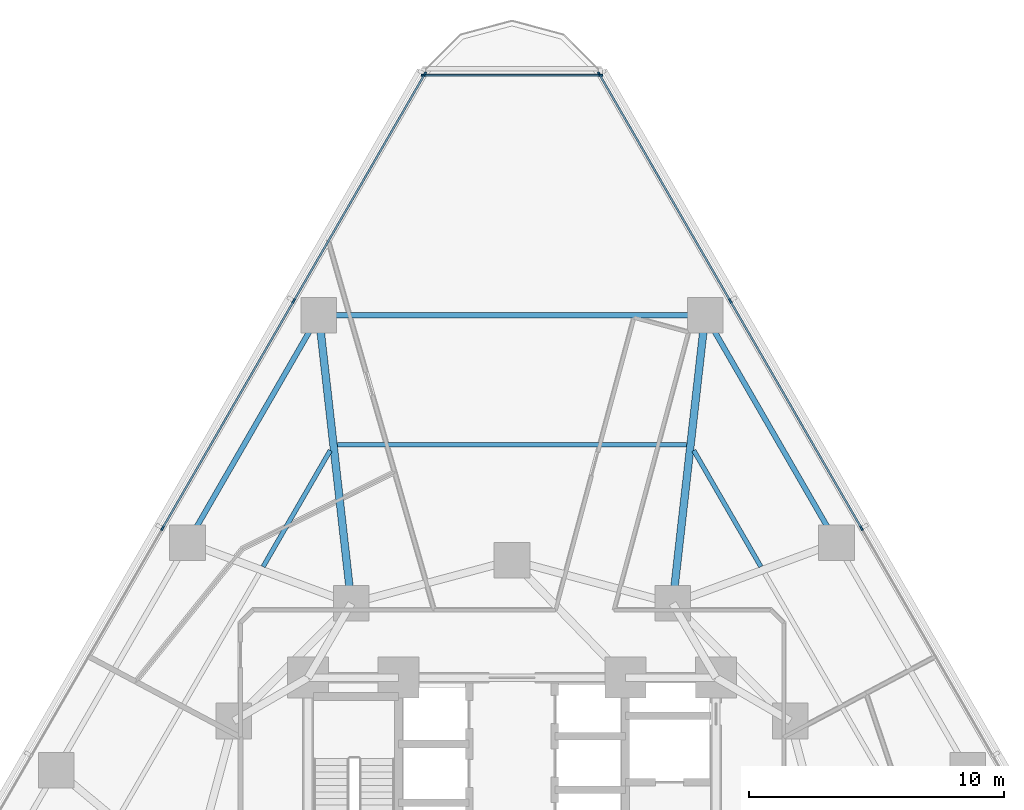
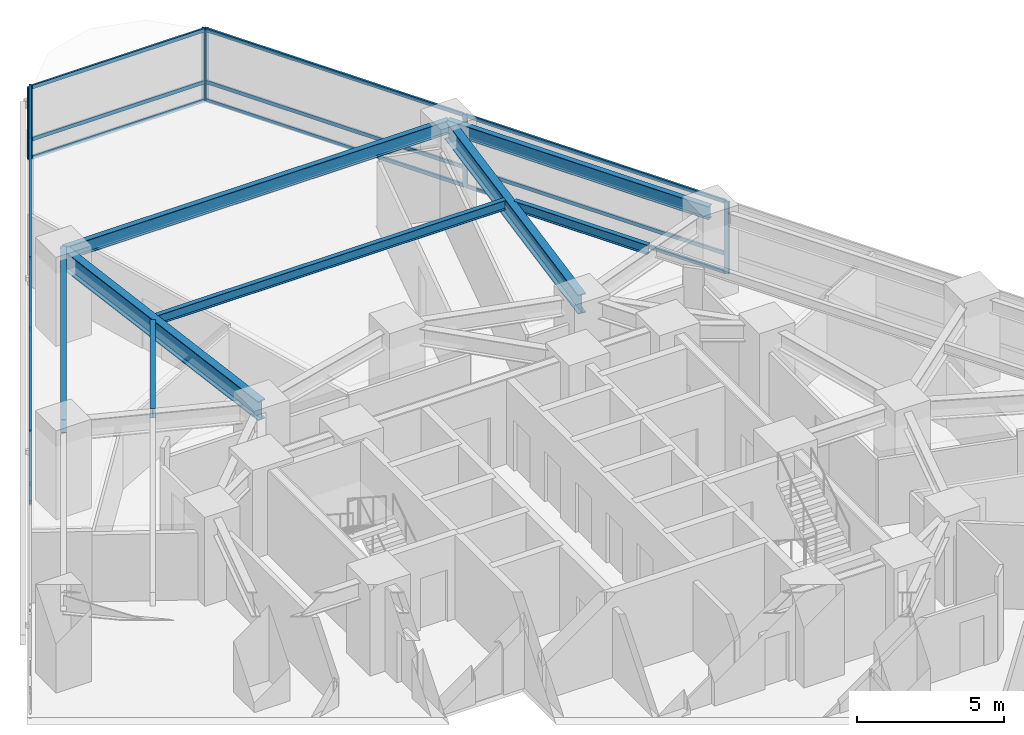
# One storey, part 6 of 16: 23 members, 8 beams, 3 elements without a shape of their own.
"""IFC4 building model written with IfcOpenShell, lengths in metres."""

from ifc_helpers import new_model, si_unit, direction, frame, origin, origin_2d, place, context, subcontext, project, spatial, rectangle, i_section, extrude, material, layer, layer_set, material_profile, profile_set, type_object, element, aggregate, save


model = new_model("IFC4")

# Units and contexts
model_context = context("Model", 3, precision=1e-05, world=origin(), true_north=direction((0.0, 1.0)))
body_context = subcontext(model_context, "Body", "Model", "MODEL_VIEW")
ifc_project = project(units=[si_unit("LENGTHUNIT", "METRE"), si_unit("AREAUNIT", "SQUARE_METRE"), si_unit("VOLUMEUNIT", "CUBIC_METRE"), si_unit("PLANEANGLEUNIT", "RADIAN"), si_unit("MASSUNIT", "GRAM", prefix="KILO")], contexts=[model_context])

# Site, building, storey
site_placement = place(None, origin())
site = spatial("IfcSite", under=ifc_project, at=site_placement, CompositionType="ELEMENT")
building_placement = place(site_placement, origin())
building = spatial("IfcBuilding", under=site, at=building_placement, Name="Terralouvre Media Tower", CompositionType="ELEMENT")
storey_placement = place(building_placement, frame((0.0, 0.0, 40.800048828125)))
storey = spatial("IfcBuildingStorey", under=building, at=storey_placement, Name="L09", CompositionType="ELEMENT", Elevation=40.800048828125)

# Beams
ifc_material_1 = material(Name="Structural steel S355J2", Category="steel")
ifc_material_profile_1 = material_profile(ifc_material_1, i_section(OverallWidth=0.179931640625, OverallDepth=0.39990234375, WebThickness=0.008544921875, FlangeThickness=0.013427734375, at=origin_2d()), Name="IPE 400")
ifc_profile_set_1 = profile_set([ifc_material_profile_1], Name="Structural steel S355J2")
beam_type_1 = type_object("IfcBeamType", Name="Composite Floor Joist J-IPE400 (IPE 400)", PredefinedType="JOIST", material=ifc_profile_set_1)
beam_1_placement = place(storey_placement, frame((9.758544921875, 12.351806640625, 3.300048828125), z_axis=(-0.499984733014, 0.866034218004, 0.0), x_axis=(-0.866034218004, -0.499984733014, 0.0)))
element("IfcBeam", 1, at=beam_1_placement, inside=storey, type_object=beam_type_1, Name="L09 Framing Beam JT-L09-08", PredefinedType="JOIST", context=body_context, shape_type="SweptSolid", body=[
    extrude(i_section(OverallWidth=0.179931640625, OverallDepth=0.39990234375, WebThickness=0.008544921875, FlangeThickness=0.013427734375, at=origin_2d()), origin(), (0.0, 0.0, 1.0), 5.264404296875),
])
beam_2_placement = place(storey_placement, frame((6.85107421875, 17.127685546875, 3.300048828125), z_axis=(-1.0, 0.0, 0.0), x_axis=(0.0, -1.0, 0.0)))
element("IfcBeam", 2, at=beam_2_placement, inside=storey, type_object=beam_type_1, Name="L09 Framing Beam JT-L09-09", PredefinedType="JOIST", context=body_context, shape_type="SweptSolid", body=[
    extrude(i_section(OverallWidth=0.179931640625, OverallDepth=0.39990234375, WebThickness=0.008544921875, FlangeThickness=0.013427734375, at=origin_2d()), origin(), (0.0, 0.0, 1.0), 13.7021484375),
])
beam_3_placement = place(storey_placement, frame((-7.12646484375, 16.910888671875, 3.300048828125), z_axis=(-0.499984733014, -0.866034218004, 0.0), x_axis=(0.866034218004, -0.499984733014, 0.0)))
element("IfcBeam", 3, at=beam_3_placement, inside=storey, type_object=beam_type_1, Name="L09 Framing Beam JT-L09-10", PredefinedType="JOIST", context=body_context, shape_type="SweptSolid", body=[
    extrude(i_section(OverallWidth=0.179931640625, OverallDepth=0.39990234375, WebThickness=0.008544921875, FlangeThickness=0.013427734375, at=origin_2d()), origin(), (0.0, 0.0, 1.0), 5.264404296875),
])

# Curtain wall, members
ifc_material_2 = material(Name="Low-iron laminated double glazing with solar-control coating", Category="glass")
ifc_layer_1 = layer(ifc_material_2, 0.1650390625, Name="Lower Media Tower Unitised Curtain Wall CW-02")
ifc_layer_set_1 = layer_set([ifc_layer_1], Name="Low-iron laminated double glazing with solar-control coating")
curtain_wall_type_1 = type_object("IfcCurtainWallType", Name="Lower Media Tower Unitised Curtain Wall CW-02", PredefinedType="NOTDEFINED", material=ifc_layer_set_1)
curtain_wall_1_placement = place(storey_placement, origin())
curtain_wall_1 = element("IfcCurtainWall", 4, at=curtain_wall_1_placement, inside=storey, type_object=curtain_wall_type_1, Name="L09 Facade Curtain Wall F1", PredefinedType="NOTDEFINED")
ifc_material_3 = material(Name="Anodised extruded aluminium 6063-T6", Category="aluminium")
ifc_material_profile_2 = material_profile(ifc_material_3, rectangle(XDim=0.074951171875, YDim=0.14990234375, at=origin_2d()), Name="ALU 75x150")
ifc_profile_set_2 = profile_set([ifc_material_profile_2], Name="Anodised extruded aluminium 6063-T6")
member_type_1 = type_object("IfcMemberType", Name="Curtain-Wall Horizontal Transom TR-150", PredefinedType="USERDEFINED", material=ifc_profile_set_2)
member_1_placement = place(storey_placement, frame((13.684814453125, 13.890869140625, 0.037353515625), z_axis=(-0.499998717582, 0.866026144187, 0.0), x_axis=(-0.866026144187, -0.499998717582, 0.0)))
member_1 = element("IfcMember", 5, at=member_1_placement, type_object=member_type_1, Name="CW-02 transom 4.1", ObjectType="TRANSOM", PredefinedType="USERDEFINED", context=body_context, shape_type="SweptSolid", body=[
    extrude(rectangle(XDim=0.074951171875, YDim=0.14990234375, at=origin_2d()), origin(), (0.0, 0.0, 1.0), 10.22509765625),
])
member_2_placement = place(storey_placement, frame((13.684814453125, 13.890869140625, 0.800048828125), z_axis=(-0.499998717582, 0.866026144187, 0.0), x_axis=(-0.866026144187, -0.499998717582, 0.0)))
member_2 = element("IfcMember", 6, at=member_2_placement, type_object=member_type_1, Name="CW-02 transom 4.2", ObjectType="TRANSOM", PredefinedType="USERDEFINED", context=body_context, shape_type="SweptSolid", body=[
    extrude(rectangle(XDim=0.074951171875, YDim=0.14990234375, at=origin_2d()), origin(), (0.0, 0.0, 1.0), 10.22509765625),
])
member_3_placement = place(storey_placement, frame((13.684814453125, 13.890869140625, 2.96240234375), z_axis=(-0.499998717582, 0.866026144187, 0.0), x_axis=(-0.866026144187, -0.499998717582, 0.0)))
member_3 = element("IfcMember", 7, at=member_3_placement, type_object=member_type_1, Name="CW-02 transom 4.3", ObjectType="TRANSOM", PredefinedType="USERDEFINED", context=body_context, shape_type="SweptSolid", body=[
    extrude(rectangle(XDim=0.074951171875, YDim=0.14990234375, at=origin_2d()), origin(), (0.0, 0.0, 1.0), 10.22509765625),
])
member_4_placement = place(storey_placement, frame((8.53466796875, 22.81103515625, 0.037353515625), z_axis=(-0.500005272087, 0.866022359922, 0.0), x_axis=(-0.866022359922, -0.500005272087, 0.0)))
member_4 = element("IfcMember", 8, at=member_4_placement, type_object=member_type_1, Name="CW-02 transom 5.1", ObjectType="TRANSOM", PredefinedType="USERDEFINED", context=body_context, shape_type="SweptSolid", body=[
    extrude(rectangle(XDim=0.074951171875, YDim=0.14990234375, at=origin_2d()), origin(), (0.0, 0.0, 1.0), 10.1875),
])
member_5_placement = place(storey_placement, frame((8.53466796875, 22.81103515625, 0.800048828125), z_axis=(-0.500005272087, 0.866022359922, 0.0), x_axis=(-0.866022359922, -0.500005272087, 0.0)))
member_5 = element("IfcMember", 9, at=member_5_placement, type_object=member_type_1, Name="CW-02 transom 5.2", ObjectType="TRANSOM", PredefinedType="USERDEFINED", context=body_context, shape_type="SweptSolid", body=[
    extrude(rectangle(XDim=0.074951171875, YDim=0.14990234375, at=origin_2d()), origin(), (0.0, 0.0, 1.0), 10.1875),
])
member_6_placement = place(storey_placement, frame((8.53466796875, 22.81103515625, 2.96240234375), z_axis=(-0.500005272087, 0.866022359922, 0.0), x_axis=(-0.866022359922, -0.500005272087, 0.0)))
member_6 = element("IfcMember", 10, at=member_6_placement, type_object=member_type_1, Name="CW-02 transom 5.3", ObjectType="TRANSOM", PredefinedType="USERDEFINED", context=body_context, shape_type="SweptSolid", body=[
    extrude(rectangle(XDim=0.074951171875, YDim=0.14990234375, at=origin_2d()), origin(), (0.0, 0.0, 1.0), 10.1875),
])

curtain_wall_2_placement = place(storey_placement, origin())
curtain_wall_2 = element("IfcCurtainWall", 11, at=curtain_wall_2_placement, inside=storey, type_object=curtain_wall_type_1, Name="L09 Facade Curtain Wall F2", PredefinedType="NOTDEFINED")
member_7_placement = place(storey_placement, frame((-3.44091796875, 31.633544921875, 0.037353515625), z_axis=(-0.500005272087, -0.866022359922, 0.0), x_axis=(0.866022359922, -0.500005272087, 0.0)))
member_7 = element("IfcMember", 12, at=member_7_placement, type_object=member_type_1, Name="CW-02 transom 1.1", ObjectType="TRANSOM", PredefinedType="USERDEFINED", context=body_context, shape_type="SweptSolid", body=[
    extrude(rectangle(XDim=0.074951171875, YDim=0.14990234375, at=origin_2d()), origin(), (0.0, 0.0, 1.0), 10.1875),
])
member_8_placement = place(storey_placement, frame((-3.44091796875, 31.633544921875, 0.800048828125), z_axis=(-0.500005272087, -0.866022359922, 0.0), x_axis=(0.866022359922, -0.500005272087, 0.0)))
member_8 = element("IfcMember", 13, at=member_8_placement, type_object=member_type_1, Name="CW-02 transom 1.2", ObjectType="TRANSOM", PredefinedType="USERDEFINED", context=body_context, shape_type="SweptSolid", body=[
    extrude(rectangle(XDim=0.074951171875, YDim=0.14990234375, at=origin_2d()), origin(), (0.0, 0.0, 1.0), 10.1875),
])
member_9_placement = place(storey_placement, frame((-3.44091796875, 31.633544921875, 2.96240234375), z_axis=(-0.500005272087, -0.866022359922, 0.0), x_axis=(0.866022359922, -0.500005272087, 0.0)))
member_9 = element("IfcMember", 14, at=member_9_placement, type_object=member_type_1, Name="CW-02 transom 1.3", ObjectType="TRANSOM", PredefinedType="USERDEFINED", context=body_context, shape_type="SweptSolid", body=[
    extrude(rectangle(XDim=0.074951171875, YDim=0.14990234375, at=origin_2d()), origin(), (0.0, 0.0, 1.0), 10.1875),
])
member_10_placement = place(storey_placement, frame((-8.572265625, 22.74609375, 0.037353515625), z_axis=(-0.499998717582, -0.866026144187, 0.0), x_axis=(0.866026144187, -0.499998717582, 0.0)))
member_10 = element("IfcMember", 15, at=member_10_placement, type_object=member_type_1, Name="CW-02 transom 2.1", ObjectType="TRANSOM", PredefinedType="USERDEFINED", context=body_context, shape_type="SweptSolid", body=[
    extrude(rectangle(XDim=0.074951171875, YDim=0.14990234375, at=origin_2d()), origin(), (0.0, 0.0, 1.0), 10.22509765625),
])
member_11_placement = place(storey_placement, frame((-8.572265625, 22.74609375, 0.800048828125), z_axis=(-0.499998717582, -0.866026144187, 0.0), x_axis=(0.866026144187, -0.499998717582, 0.0)))
member_11 = element("IfcMember", 16, at=member_11_placement, type_object=member_type_1, Name="CW-02 transom 2.2", ObjectType="TRANSOM", PredefinedType="USERDEFINED", context=body_context, shape_type="SweptSolid", body=[
    extrude(rectangle(XDim=0.074951171875, YDim=0.14990234375, at=origin_2d()), origin(), (0.0, 0.0, 1.0), 10.22509765625),
])
member_12_placement = place(storey_placement, frame((-8.572265625, 22.74609375, 2.96240234375), z_axis=(-0.499998717582, -0.866026144187, 0.0), x_axis=(0.866026144187, -0.499998717582, 0.0)))
member_12 = element("IfcMember", 17, at=member_12_placement, type_object=member_type_1, Name="CW-02 transom 2.3", ObjectType="TRANSOM", PredefinedType="USERDEFINED", context=body_context, shape_type="SweptSolid", body=[
    extrude(rectangle(XDim=0.074951171875, YDim=0.14990234375, at=origin_2d()), origin(), (0.0, 0.0, 1.0), 10.22509765625),
])

ifc_material_4 = material(Name="Low-iron laminated double glazing with solar-control coating", Category="glass")
ifc_layer_2 = layer(ifc_material_4, 0.1650390625, Name="Rounded Wind-Corner Curved Glazing CW-04")
ifc_layer_set_2 = layer_set([ifc_layer_2], Name="Low-iron laminated double glazing with solar-control coating")
curtain_wall_type_2 = type_object("IfcCurtainWallType", Name="Rounded Wind-Corner Curved Glazing CW-04", PredefinedType="NOTDEFINED", material=ifc_layer_set_2)
curtain_wall_3_placement = place(storey_placement, origin())
curtain_wall_3 = element("IfcCurtainWall", 18, at=curtain_wall_3_placement, inside=storey, type_object=curtain_wall_type_2, Name="L09 Rounded Wind-Corner Curtain Wall C2", PredefinedType="NOTDEFINED")
member_13_placement = place(storey_placement, frame((3.432373046875, 31.61865234375, 0.037353515625), z_axis=(-1.0, 0.0, 0.0), x_axis=(0.0, -1.0, 0.0)))
member_13 = element("IfcMember", 19, at=member_13_placement, type_object=member_type_1, Name="CW-04 transom 1.1", ObjectType="TRANSOM", PredefinedType="USERDEFINED", context=body_context, shape_type="SweptSolid", body=[
    extrude(rectangle(XDim=0.074951171875, YDim=0.14990234375, at=origin_2d()), origin(), (0.0, 0.0, 1.0), 6.86474609375),
])
member_14_placement = place(storey_placement, frame((3.432373046875, 31.61865234375, 0.800048828125), z_axis=(-1.0, 0.0, 0.0), x_axis=(0.0, -1.0, 0.0)))
member_14 = element("IfcMember", 20, at=member_14_placement, type_object=member_type_1, Name="CW-04 transom 1.2", ObjectType="TRANSOM", PredefinedType="USERDEFINED", context=body_context, shape_type="SweptSolid", body=[
    extrude(rectangle(XDim=0.074951171875, YDim=0.14990234375, at=origin_2d()), origin(), (0.0, 0.0, 1.0), 6.86474609375),
])
member_15_placement = place(storey_placement, frame((3.432373046875, 31.61865234375, 2.96240234375), z_axis=(-1.0, 0.0, 0.0), x_axis=(0.0, -1.0, 0.0)))
member_15 = element("IfcMember", 21, at=member_15_placement, type_object=member_type_1, Name="CW-04 transom 1.3", ObjectType="TRANSOM", PredefinedType="USERDEFINED", context=body_context, shape_type="SweptSolid", body=[
    extrude(rectangle(XDim=0.074951171875, YDim=0.14990234375, at=origin_2d()), origin(), (0.0, 0.0, 1.0), 6.86474609375),
])

# Member
ifc_material_5 = material(Name="Anodised extruded aluminium 6063-T6", Category="aluminium")
ifc_material_profile_3 = material_profile(ifc_material_5, rectangle(XDim=0.074951171875, YDim=0.179931640625, at=origin_2d()), Name="ALU 75x180")
ifc_profile_set_3 = profile_set([ifc_material_profile_3], Name="Anodised extruded aluminium 6063-T6")
member_type_2 = type_object("IfcMemberType", Name="Curtain-Wall Vertical Mullion ML-180", PredefinedType="MULLION", material=ifc_profile_set_3)
member_16_placement = place(storey_placement, frame((13.703369140625, 13.8583984375, 0.0), z_axis=(0.0, 0.0, 1.0), x_axis=(-0.866025412057, -0.499999985671, 0.0)))
member_16 = element("IfcMember", 22, at=member_16_placement, type_object=member_type_2, Name="CW-02 mullion 4", PredefinedType="MULLION", context=body_context, shape_type="SweptSolid", body=[
    extrude(rectangle(XDim=0.074951171875, YDim=0.179931640625, at=origin_2d()), origin(), (0.0, 0.0, 1.0), 3.0),
])

member_17_placement = place(storey_placement, frame((8.553466796875, 22.778564453125, 0.0), z_axis=(0.0, 0.0, 1.0), x_axis=(-0.866025412057, -0.499999985671, 0.0)))
member_17 = element("IfcMember", 23, at=member_17_placement, type_object=member_type_2, Name="CW-02 mullion 5", PredefinedType="MULLION", context=body_context, shape_type="SweptSolid", body=[
    extrude(rectangle(XDim=0.074951171875, YDim=0.179931640625, at=origin_2d()), origin(), (0.0, 0.0, 1.0), 3.0),
])

member_18_placement = place(storey_placement, frame((3.422119140625, 31.666015625, 0.0), z_axis=(0.0, 0.0, 1.0), x_axis=(-0.866025412057, -0.499999985671, 0.0)))
member_18 = element("IfcMember", 24, at=member_18_placement, type_object=member_type_2, Name="CW-02 mullion 6", PredefinedType="MULLION", context=body_context, shape_type="SweptSolid", body=[
    extrude(rectangle(XDim=0.074951171875, YDim=0.179931640625, at=origin_2d()), origin(), (0.0, 0.0, 1.0), 3.0),
])

aggregate(curtain_wall_1, [member_16, member_17, member_18, member_1, member_2, member_3, member_4, member_5, member_6])

member_19_placement = place(storey_placement, frame((-3.422119140625, 31.666015625, 0.0), z_axis=(0.0, 0.0, 1.0), x_axis=(0.866025412057, -0.499999985671, 0.0)))
member_19 = element("IfcMember", 25, at=member_19_placement, type_object=member_type_2, Name="CW-02 mullion 1", PredefinedType="MULLION", context=body_context, shape_type="SweptSolid", body=[
    extrude(rectangle(XDim=0.074951171875, YDim=0.179931640625, at=origin_2d()), origin(), (0.0, 0.0, 1.0), 3.0),
])

member_20_placement = place(storey_placement, frame((-8.553466796875, 22.778564453125, 0.0), z_axis=(0.0, 0.0, 1.0), x_axis=(0.866025412057, -0.499999985671, 0.0)))
member_20 = element("IfcMember", 26, at=member_20_placement, type_object=member_type_2, Name="CW-02 mullion 2", PredefinedType="MULLION", context=body_context, shape_type="SweptSolid", body=[
    extrude(rectangle(XDim=0.074951171875, YDim=0.179931640625, at=origin_2d()), origin(), (0.0, 0.0, 1.0), 3.0),
])

member_21_placement = place(storey_placement, frame((-13.703369140625, 13.8583984375, 0.0), z_axis=(0.0, 0.0, 1.0), x_axis=(0.866025412057, -0.499999985671, 0.0)))
member_21 = element("IfcMember", 27, at=member_21_placement, type_object=member_type_2, Name="CW-02 mullion 3", PredefinedType="MULLION", context=body_context, shape_type="SweptSolid", body=[
    extrude(rectangle(XDim=0.074951171875, YDim=0.179931640625, at=origin_2d()), origin(), (0.0, 0.0, 1.0), 3.0),
])

aggregate(curtain_wall_2, [member_19, member_20, member_21, member_7, member_8, member_9, member_10, member_11, member_12])

member_22_placement = place(storey_placement, frame((3.469970703125, 31.61865234375, 0.0), z_axis=(0.0, 0.0, 1.0), x_axis=(0.0, -1.0, 0.0)))
member_22 = element("IfcMember", 28, at=member_22_placement, type_object=member_type_2, Name="CW-04 mullion 1", PredefinedType="MULLION", context=body_context, shape_type="SweptSolid", body=[
    extrude(rectangle(XDim=0.074951171875, YDim=0.179931640625, at=origin_2d()), origin(), (0.0, 0.0, 1.0), 3.0),
])

member_23_placement = place(storey_placement, frame((-3.469970703125, 31.61865234375, 0.0), z_axis=(0.0, 0.0, 1.0), x_axis=(0.0, -1.0, 0.0)))
member_23 = element("IfcMember", 29, at=member_23_placement, type_object=member_type_2, Name="CW-04 mullion 2", PredefinedType="MULLION", context=body_context, shape_type="SweptSolid", body=[
    extrude(rectangle(XDim=0.074951171875, YDim=0.179931640625, at=origin_2d()), origin(), (0.0, 0.0, 1.0), 3.0),
])

aggregate(curtain_wall_3, [member_22, member_23, member_13, member_14, member_15])

# Beams
ifc_material_6 = material(Name="Structural steel S355J2", Category="steel")
ifc_material_profile_4 = material_profile(ifc_material_6, i_section(OverallWidth=0.2099609375, OverallDepth=0.550048828125, WebThickness=0.010986328125, FlangeThickness=0.01708984375, at=origin_2d()), Name="IPE 550")
ifc_profile_set_4 = profile_set([ifc_material_profile_4], Name="Structural steel S355J2")
beam_type_2 = type_object("IfcBeamType", Name="Perimeter Spandrel Beam SPB-550 (IPE 550)", PredefinedType="SPANDREL", material=ifc_profile_set_4)
beam_4_placement = place(storey_placement, frame((12.724853515625, 13.29345703125, 3.224853515625), z_axis=(-0.499998765615, 0.866026116456, 0.0), x_axis=(-0.866026116456, -0.499998765615, 0.0)))
element("IfcBeam", 30, at=beam_4_placement, inside=storey, type_object=beam_type_2, Name="L09 Framing Beam BM-L09-PR08", PredefinedType="SPANDREL", context=body_context, shape_type="SweptSolid", body=[
    extrude(i_section(OverallWidth=0.2099609375, OverallDepth=0.550048828125, WebThickness=0.010986328125, FlangeThickness=0.01708984375, at=origin_2d()), origin(), (0.0, 0.0, 1.0), 10.2998046875),
])
beam_5_placement = place(storey_placement, frame((7.574951171875, 22.21337890625, 3.224853515625), z_axis=(-1.0, 0.0, 0.0), x_axis=(0.0, -1.0, 0.0)))
element("IfcBeam", 31, at=beam_5_placement, inside=storey, type_object=beam_type_2, Name="L09 Framing Beam BM-L09-PR09", PredefinedType="SPANDREL", context=body_context, shape_type="SweptSolid", body=[
    extrude(i_section(OverallWidth=0.2099609375, OverallDepth=0.550048828125, WebThickness=0.010986328125, FlangeThickness=0.01708984375, at=origin_2d()), origin(), (0.0, 0.0, 1.0), 15.14990234375),
])
beam_6_placement = place(storey_placement, frame((-7.574951171875, 22.21337890625, 3.224853515625), z_axis=(-0.499998765615, -0.866026116456, 0.0), x_axis=(0.866026116456, -0.499998765615, 0.0)))
element("IfcBeam", 32, at=beam_6_placement, inside=storey, type_object=beam_type_2, Name="L09 Framing Beam BM-L09-PR10", PredefinedType="SPANDREL", context=body_context, shape_type="SweptSolid", body=[
    extrude(i_section(OverallWidth=0.2099609375, OverallDepth=0.550048828125, WebThickness=0.010986328125, FlangeThickness=0.01708984375, at=origin_2d()), origin(), (0.0, 0.0, 1.0), 10.2998046875),
])
ifc_material_7 = material(Name="Structural steel S460M", Category="steel")
ifc_material_profile_5 = material_profile(ifc_material_7, i_section(OverallWidth=0.300048828125, OverallDepth=0.800048828125, WebThickness=0.017578125, FlangeThickness=0.032958984375, at=origin_2d()), Name="HEB 800")
ifc_profile_set_5 = profile_set([ifc_material_profile_5], Name="Structural steel S460M")
beam_type_3 = type_object("IfcBeamType", Name="Primary Floor Girder B-HEB800 (HEB 800)", PredefinedType="BEAM", material=ifc_profile_set_5)
for number, where, z_axis, x_axis, name in (
    (33, (6.300048828125, 10.911865234375, 3.099853515625), (0.112097104782, 0.993697257267, 0.0), (-0.993697257267, 0.112097104782, 0.0), "L09 Framing Beam BM-L09-RD09"),
    (34, (-6.300048828125, 10.911865234375, 3.099853515625), (-0.112097104782, 0.993697257267, 0.0), (-0.993697257267, -0.112097104782, 0.0), "L09 Framing Beam BM-L09-RD10"),
):
    element("IfcBeam", number, at=place(storey_placement, frame(where, z_axis=z_axis, x_axis=x_axis)), inside=storey, type_object=beam_type_3, Name=name, PredefinedType="BEAM", context=body_context, shape_type="SweptSolid", body=[
        extrude(i_section(OverallWidth=0.300048828125, OverallDepth=0.800048828125, WebThickness=0.017578125, FlangeThickness=0.032958984375, at=origin_2d()), origin(), (0.0, 0.0, 1.0), 11.373291015625),
    ])

save(model, "model.ifc")
